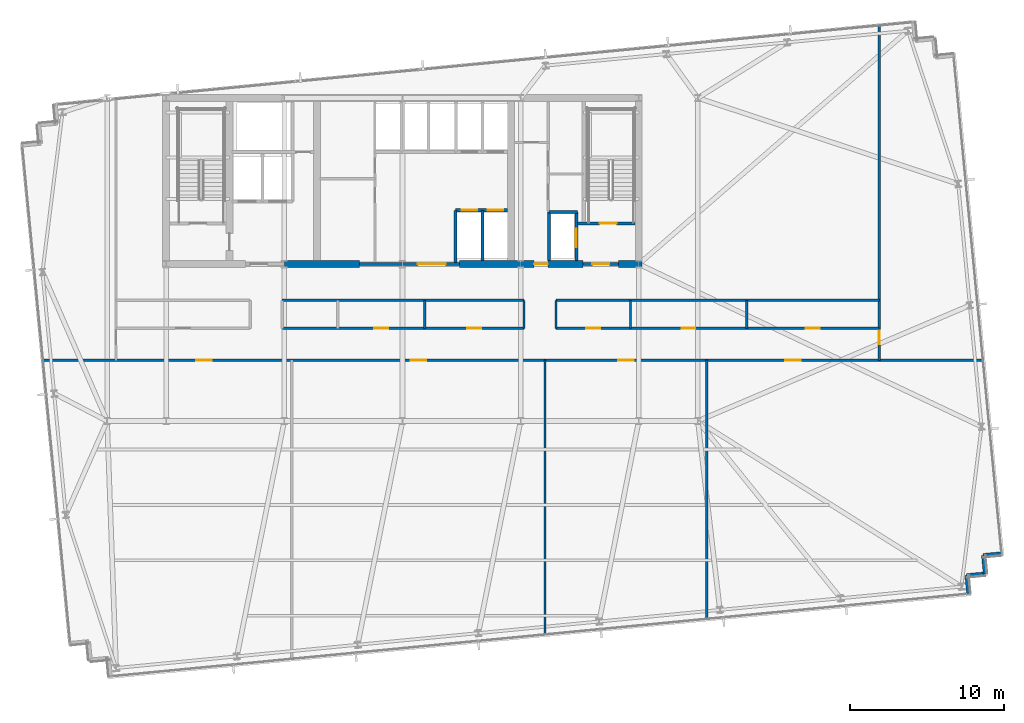
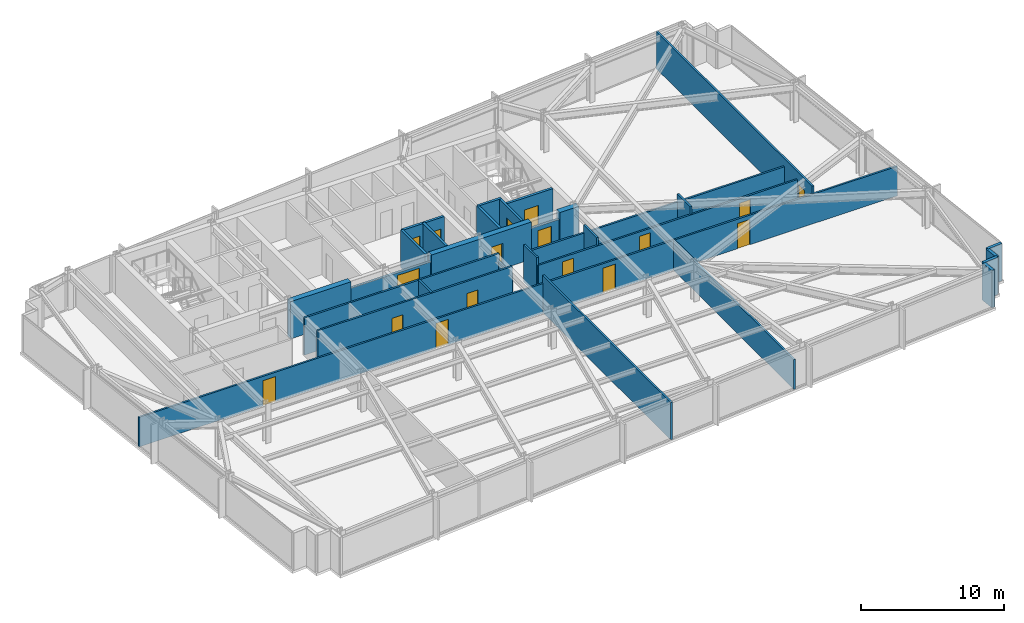
# One storey, part 25 of 32: 29 walls, 17 doors, 17 openings.
"""IFC4 building model written with IfcOpenShell, lengths in metres."""

from ifc_helpers import new_model, si_unit, direction, frame, frame_2d, origin, place, context, subcontext, project, spatial, rectangle, extrude, material, layer, layer_set, type_object, element, fill, save


model = new_model("IFC4")

# Units and contexts
model_context = context("Model", 3, precision=1e-05, world=origin(), true_north=direction((0.0, 1.0)))
body_context = subcontext(model_context, "Body", "Model", "MODEL_VIEW")
ifc_project = project(units=[si_unit("LENGTHUNIT", "METRE"), si_unit("AREAUNIT", "SQUARE_METRE"), si_unit("VOLUMEUNIT", "CUBIC_METRE"), si_unit("PLANEANGLEUNIT", "RADIAN"), si_unit("MASSUNIT", "GRAM", prefix="KILO")], contexts=[model_context])

# Site, building, storey
site_placement = place(None, origin())
site = spatial("IfcSite", under=ifc_project, at=site_placement, CompositionType="ELEMENT")
building_placement = place(site_placement, origin())
building = spatial("IfcBuilding", under=site, at=building_placement, Name="Yelkora Congress Tower", CompositionType="ELEMENT")
storey_placement = place(building_placement, frame((0.0, 0.0, 116.89990234375)))
storey = spatial("IfcBuildingStorey", under=building, at=storey_placement, Name="L31", CompositionType="ELEMENT", Elevation=116.89990234375)

# Wall
ifc_material_1 = material(Name="Concrete C60/75", Category="concrete")
ifc_layer_1 = layer(ifc_material_1, 0.449951171875)
ifc_layer_set_1 = layer_set([ifc_layer_1], Name="Concrete C60/75")
wall_type_1 = type_object("IfcWallType", Name="WALL-CORE-INT-450", PredefinedType="SHEAR", material=ifc_layer_set_1)
wall_1_placement = place(storey_placement, frame((30.719970703125, 35.39990234375, 0.0), z_axis=(0.0, 0.0, 1.0), x_axis=(1.0, 0.0, 0.0)))
element("IfcWall", 1, at=wall_1_placement, inside=storey, type_object=wall_type_1, Name="L31 Rear Core South-Center Shear Pier", PredefinedType="SHEAR", context=body_context, shape_type="SweptSolid", body=[
    extrude(rectangle(XDim=4.880126953125, YDim=0.449951171875, at=frame_2d((2.43994140625, 0.0))), origin(), (0.0, 0.0, 1.0), 3.18017578125),
])

# Wall, opening, door
wall_2_placement = place(storey_placement, frame((42.10009765625, 35.39990234375, 0.0), z_axis=(0.0, 0.0, 1.0), x_axis=(1.0, 0.0, 0.0)))
wall_2 = element("IfcWall", 2, at=wall_2_placement, inside=storey, type_object=wall_type_1, Name="L31 Rear Core South-East Shear Wall A", PredefinedType="SHEAR", context=body_context, shape_type="SweptSolid", body=[
    extrude(rectangle(XDim=8.0498046875, YDim=0.449951171875, at=frame_2d((4.02490234375, 0.0))), origin(), (0.0, 0.0, 1.0), 3.18017578125),
])
opening_1_placement = place(wall_2_placement, frame((4.85009765625, 0.0, 0.0)))
opening_1 = element("IfcOpeningElement", 3, at=opening_1_placement, cuts=wall_2, Name="Opening DR-090F6", PredefinedType="OPENING", context=body_context, shape_type="SweptSolid", body=[
    extrude(rectangle(XDim=0.89990234375, YDim=2.14990234375, at=frame_2d((0.449951171875, 1.074951171875))), frame((0.0, 0.23486328125, 0.0), z_axis=(0.0, -1.0, 0.0), x_axis=(1.0, 0.0, 0.0)), (0.0, 0.0, 1.0), 0.469970703125),
])
ifc_material_2 = material(Name="Painted steel riser fire door leaf", Category="steel")
door_type_1 = type_object("IfcDoorType", Name="DOOR-FD60-900", OperationType="NOTDEFINED", PredefinedType="DOOR", material=ifc_material_2)
door_1_placement = place(opening_1_placement, origin())
door_1 = element("IfcDoor", 4, at=door_1_placement, inside=storey, type_object=door_type_1, Name="L31 Core Washroom Lobby Door", OperationType="SINGLE_SWING_RIGHT", OverallHeight=2.14990234375, OverallWidth=0.89990234375, PredefinedType="DOOR", context=body_context, shape_type="SweptSolid", body=[
    extrude(rectangle(XDim=0.89990234375, YDim=2.14990234375, at=frame_2d((0.449951171875, 1.074951171875))), frame((0.0, 0.02490234375, 0.0), z_axis=(0.0, -1.0, 0.0), x_axis=(1.0, 0.0, 0.0)), (0.0, 0.0, 1.0), 0.050048828125),
])
fill(opening_1, door_1)

# Walls
wall_3_placement = place(storey_placement, frame((52.449951171875, 35.39990234375, 0.0), z_axis=(0.0, 0.0, 1.0), x_axis=(1.0, 0.0, 0.0)))
element("IfcWall", 5, at=wall_3_placement, inside=storey, type_object=wall_type_1, Name="L31 Rear Core South-East Shear Wall B", PredefinedType="SHEAR", context=body_context, shape_type="SweptSolid", body=[
    extrude(rectangle(XDim=1.53515625, YDim=0.449951171875, at=frame_2d((0.767578125, 0.0))), origin(), (0.0, 0.0, 1.0), 3.18017578125),
])
ifc_material_3 = material(Name="Concrete C40/50", Category="concrete")
ifc_layer_2 = layer(ifc_material_3, 0.239990234375)
ifc_layer_set_2 = layer_set([ifc_layer_2], Name="Concrete C40/50")
wall_type_2 = type_object("IfcWallType", Name="WALL-EXT-LIMESTONE-240", PredefinedType="SOLIDWALL", material=ifc_layer_set_2)
wall_4_placement = place(storey_placement, frame((77.34765625, 16.585693359375, 0.0), z_axis=(0.0, 0.0, 1.0), x_axis=(-0.995397091755, -0.095836473879, 0.0)))
element("IfcWall", 6, at=wall_4_placement, inside=storey, type_object=wall_type_2, Name="L31 Serrated Corner Limestone Pier 16", PredefinedType="SOLIDWALL", context=body_context, shape_type="SweptSolid", body=[
    extrude(rectangle(XDim=1.199951171875, YDim=0.239990234375, at=frame_2d((0.60009765625, 0.0))), origin(), (0.0, 0.0, 1.0), 3.18017578125),
])
for number, where, z_axis, x_axis, name in (
    (7, (76.1533203125, 16.470703125, 0.0), (0.0, 0.0, 1.0), (0.095817067274, -0.995398960025, 0.0), "L31 Serrated Corner Limestone Pier 17"),
    (8, (76.268310546875, 15.276123046875, 0.0), (0.0, 0.0, 1.0), (-0.995398960025, -0.095817067274, 0.0), "L31 Serrated Corner Limestone Pier 18"),
):
    element("IfcWall", number, at=place(storey_placement, frame(where, z_axis=z_axis, x_axis=x_axis)), inside=storey, type_object=wall_type_2, Name=name, PredefinedType="SOLIDWALL", context=body_context, shape_type="SweptSolid", body=[
        extrude(rectangle(XDim=1.2001953125, YDim=0.239990234375, at=frame_2d((0.60009765625, 0.0))), origin(), (0.0, 0.0, 1.0), 3.18017578125),
    ])
wall_5_placement = place(storey_placement, frame((75.07373046875, 15.1611328125, 0.0), z_axis=(0.0, 0.0, 1.0), x_axis=(0.095836473879, -0.995397091755, 0.0)))
element("IfcWall", 9, at=wall_5_placement, inside=storey, type_object=wall_type_2, Name="L31 Serrated Corner Limestone Pier 19", PredefinedType="SOLIDWALL", context=body_context, shape_type="SweptSolid", body=[
    extrude(rectangle(XDim=1.199951171875, YDim=0.239990234375, at=frame_2d((0.60009765625, 0.0))), origin(), (0.0, 0.0, 1.0), 3.18017578125),
])
ifc_material_4 = material(Name="Acoustic metal-stud gypsum partition", Category="gypsum")
ifc_layer_3 = layer(ifc_material_4, 0.14990234375)
ifc_layer_set_3 = layer_set([ifc_layer_3], Name="Acoustic metal-stud gypsum partition")
wall_type_3 = type_object("IfcWallType", Name="WALL-INT-150-NR", PredefinedType="PARTITIONING", material=ifc_layer_set_3)
wall_6_placement = place(storey_placement, frame((47.659912109375, 11.255615234375, 0.0), z_axis=(0.0, 0.0, 1.0), x_axis=(0.0, 1.0, 0.0)))
element("IfcWall", 10, at=wall_6_placement, inside=storey, type_object=wall_type_3, Name="L31 Partition Wall 28", PredefinedType="PARTITIONING", context=body_context, shape_type="SweptSolid", body=[
    extrude(rectangle(XDim=17.914306640625, YDim=0.14990234375, at=frame_2d((8.95703125, 0.0))), origin(), (0.0, 0.0, 1.0), 3.18017578125),
])
wall_7_placement = place(storey_placement, frame((58.176025390625, 12.268310546875, 0.0), z_axis=(0.0, 0.0, 1.0), x_axis=(0.0, 1.0, 0.0)))
element("IfcWall", 11, at=wall_7_placement, inside=storey, type_object=wall_type_3, Name="L31 Partition Wall 29", PredefinedType="PARTITIONING", context=body_context, shape_type="SweptSolid", body=[
    extrude(rectangle(XDim=16.901611328125, YDim=0.14990234375, at=frame_2d((8.45068359375, 0.0))), origin(), (0.0, 0.0, 1.0), 2.525146484375),
])

# Wall, openings, doors
wall_8_placement = place(storey_placement, frame((14.976318359375, 29.14990234375, 0.0), z_axis=(0.0, 0.0, 1.0), x_axis=(1.0, 0.0, 0.0)))
wall_8 = element("IfcWall", 12, at=wall_8_placement, inside=storey, type_object=wall_type_3, Name="L31 South Spine Wall", PredefinedType="PARTITIONING", context=body_context, shape_type="SweptSolid", body=[
    extrude(rectangle(XDim=61.221923828125, YDim=0.14990234375, at=frame_2d((30.61083984375, 0.0))), origin(), (0.0, 0.0, 1.0), 2.525146484375),
])
opening_2_placement = place(wall_8_placement, frame((10.01171875, 0.0, 0.0)))
opening_2 = element("IfcOpeningElement", 13, at=opening_2_placement, cuts=wall_8, Name="Opening DR-100N", PredefinedType="OPENING", context=body_context, shape_type="SweptSolid", body=[
    extrude(rectangle(XDim=1.0, YDim=2.14990234375, at=frame_2d((0.5, 1.074951171875))), frame((0.0, 0.0849609375, 0.0), z_axis=(0.0, -1.0, 0.0), x_axis=(1.0, 0.0, 0.0)), (0.0, 0.0, 1.0), 0.169921875),
])
opening_3_placement = place(wall_8_placement, frame((23.95361328125, 0.0, 0.0)))
opening_3 = element("IfcOpeningElement", 14, at=opening_3_placement, cuts=wall_8, Name="Opening DR-100N", PredefinedType="OPENING", context=body_context, shape_type="SweptSolid", body=[
    extrude(rectangle(XDim=1.0, YDim=2.14990234375, at=frame_2d((0.5, 1.074951171875))), frame((0.0, 0.0849609375, 0.0), z_axis=(0.0, -1.0, 0.0), x_axis=(1.0, 0.0, 0.0)), (0.0, 0.0, 1.0), 0.169921875),
])
opening_4_placement = place(wall_8_placement, frame((37.441650390625, 0.0, 0.0)))
opening_4 = element("IfcOpeningElement", 15, at=opening_4_placement, cuts=wall_8, Name="Opening DR-100N", PredefinedType="OPENING", context=body_context, shape_type="SweptSolid", body=[
    extrude(rectangle(XDim=1.0, YDim=2.14990234375, at=frame_2d((0.5, 1.074951171875))), frame((0.0, 0.0849609375, 0.0), z_axis=(0.0, -1.0, 0.0), x_axis=(1.0, 0.0, 0.0)), (0.0, 0.0, 1.0), 0.169921875),
])
opening_5_placement = place(wall_8_placement, frame((48.310546875, 0.0, 0.0)))
opening_5 = element("IfcOpeningElement", 16, at=opening_5_placement, cuts=wall_8, Name="Opening DR-100N", PredefinedType="OPENING", context=body_context, shape_type="SweptSolid", body=[
    extrude(rectangle(XDim=1.0, YDim=2.14990234375, at=frame_2d((0.5, 1.074951171875))), frame((0.0, 0.0849609375, 0.0), z_axis=(0.0, -1.0, 0.0), x_axis=(1.0, 0.0, 0.0)), (0.0, 0.0, 1.0), 0.169921875),
])
ifc_material_5 = material(Name="Solid-core Anatolian oak veneer door", Category="wood")
door_type_2 = type_object("IfcDoorType", Name="DOOR-INT-1000", OperationType="NOTDEFINED", PredefinedType="DOOR", material=ifc_material_5)
door_2_placement = place(opening_2_placement, origin())
door_2 = element("IfcDoor", 17, at=door_2_placement, inside=storey, type_object=door_type_2, Name="L31 Open-Plan Office Door", OperationType="SINGLE_SWING_LEFT", OverallHeight=2.14990234375, OverallWidth=1.0, PredefinedType="DOOR", context=body_context, shape_type="SweptSolid", body=[
    extrude(rectangle(XDim=1.0, YDim=2.14990234375, at=frame_2d((0.5, 1.074951171875))), frame((0.0, 0.02490234375, 0.0), z_axis=(0.0, -1.0, 0.0), x_axis=(1.0, 0.0, 0.0)), (0.0, 0.0, 1.0), 0.050048828125),
])
fill(opening_2, door_2)
door_3_placement = place(opening_3_placement, origin())
door_3 = element("IfcDoor", 18, at=door_3_placement, inside=storey, type_object=door_type_2, Name="L31 Collaboration Living Hub Door", OperationType="SINGLE_SWING_RIGHT", OverallHeight=2.14990234375, OverallWidth=1.0, PredefinedType="DOOR", context=body_context, shape_type="SweptSolid", body=[
    extrude(rectangle(XDim=1.0, YDim=2.14990234375, at=frame_2d((0.5, 1.074951171875))), frame((0.0, 0.02490234375, 0.0), z_axis=(0.0, -1.0, 0.0), x_axis=(1.0, 0.0, 0.0)), (0.0, 0.0, 1.0), 0.050048828125),
])
fill(opening_3, door_3)
door_4_placement = place(opening_4_placement, origin())
door_4 = element("IfcDoor", 19, at=door_4_placement, inside=storey, type_object=door_type_2, Name="L31 Catering Kitchenette Door", OperationType="SINGLE_SWING_LEFT", OverallHeight=2.14990234375, OverallWidth=1.0, PredefinedType="DOOR", context=body_context, shape_type="SweptSolid", body=[
    extrude(rectangle(XDim=1.0, YDim=2.14990234375, at=frame_2d((0.5, 1.074951171875))), frame((0.0, 0.02490234375, 0.0), z_axis=(0.0, -1.0, 0.0), x_axis=(1.0, 0.0, 0.0)), (0.0, 0.0, 1.0), 0.050048828125),
])
fill(opening_4, door_4)
door_5_placement = place(opening_5_placement, origin())
door_5 = element("IfcDoor", 20, at=door_5_placement, inside=storey, type_object=door_type_2, Name="L31 Catering Kitchenette Door", OperationType="SINGLE_SWING_RIGHT", OverallHeight=2.14990234375, OverallWidth=1.0, PredefinedType="DOOR", context=body_context, shape_type="SweptSolid", body=[
    extrude(rectangle(XDim=1.0, YDim=2.14990234375, at=frame_2d((0.5, 1.074951171875))), frame((0.0, 0.02490234375, 0.0), z_axis=(0.0, -1.0, 0.0), x_axis=(1.0, 0.0, 0.0)), (0.0, 0.0, 1.0), 0.050048828125),
])
fill(opening_5, door_5)

# Wall, opening, door
wall_9_placement = place(storey_placement, frame((69.39794921875, 29.14990234375, 0.0), z_axis=(0.0, 0.0, 1.0), x_axis=(0.0, 1.0, 0.0)))
wall_9 = element("IfcWall", 21, at=wall_9_placement, inside=storey, type_object=wall_type_3, Name="L31 Partition Wall 32", PredefinedType="PARTITIONING", context=body_context, shape_type="SweptSolid", body=[
    extrude(rectangle(XDim=21.81201171875, YDim=0.14990234375, at=frame_2d((10.906005859375, 0.0))), origin(), (0.0, 0.0, 1.0), 3.18017578125),
])
opening_6_placement = place(wall_9_placement, frame((1.030029296875, 0.0, 0.0)))
opening_6 = element("IfcOpeningElement", 22, at=opening_6_placement, cuts=wall_9, Name="Opening DR-090N", PredefinedType="OPENING", context=body_context, shape_type="SweptSolid", body=[
    extrude(rectangle(XDim=0.89990234375, YDim=2.14990234375, at=frame_2d((0.449951171875, 1.074951171875))), frame((0.0, 0.0849609375, 0.0), z_axis=(0.0, -1.0, 0.0), x_axis=(1.0, 0.0, 0.0)), (0.0, 0.0, 1.0), 0.169921875),
])
ifc_material_6 = material(Name="Moisture-resistant laminate door leaf", Category="wood")
door_type_3 = type_object("IfcDoorType", Name="DOOR-INT-900", OperationType="NOTDEFINED", PredefinedType="DOOR", material=ifc_material_6)
door_6_placement = place(opening_6_placement, origin())
door_6 = element("IfcDoor", 23, at=door_6_placement, inside=storey, type_object=door_type_3, Name="L31 E Wing Door", OperationType="SINGLE_SWING_RIGHT", OverallHeight=2.14990234375, OverallWidth=0.89990234375, PredefinedType="DOOR", context=body_context, shape_type="SweptSolid", body=[
    extrude(rectangle(XDim=0.89990234375, YDim=2.14990234375, at=frame_2d((0.449951171875, 1.074951171875))), frame((0.0, 0.02490234375, 0.0), z_axis=(0.0, -1.0, 0.0), x_axis=(1.0, 0.0, 0.0)), (0.0, 0.0, 1.0), 0.050048828125),
])
fill(opening_6, door_6)

# Walls
wall_10_placement = place(storey_placement, frame((46.300048828125, 31.22998046875, 0.0), z_axis=(0.0, 0.0, 1.0), x_axis=(0.0, 1.0, 0.0)))
element("IfcWall", 24, at=wall_10_placement, inside=storey, type_object=wall_type_3, Name="L31 Partition Wall 35", PredefinedType="PARTITIONING", context=body_context, shape_type="SweptSolid", body=[
    extrude(rectangle(XDim=1.820068359375, YDim=0.14990234375, at=frame_2d((0.91015625, 0.0))), origin(), (0.0, 0.0, 1.0), 2.525146484375),
])
wall_11_placement = place(storey_placement, frame((48.3798828125, 31.22998046875, 0.0), z_axis=(0.0, 0.0, 1.0), x_axis=(0.0, 1.0, 0.0)))
element("IfcWall", 25, at=wall_11_placement, inside=storey, type_object=wall_type_3, Name="L31 Partition Wall 36", PredefinedType="PARTITIONING", context=body_context, shape_type="SweptSolid", body=[
    extrude(rectangle(XDim=1.820068359375, YDim=0.14990234375, at=frame_2d((0.91015625, 0.0))), origin(), (0.0, 0.0, 1.0), 3.18017578125),
])
wall_12_placement = place(storey_placement, frame((30.580078125, 33.050048828125, 0.0), z_axis=(0.0, 0.0, 1.0), x_axis=(1.0, 0.0, 0.0)))
element("IfcWall", 26, at=wall_12_placement, inside=storey, type_object=wall_type_3, Name="L31 Partition Wall 38", PredefinedType="PARTITIONING", context=body_context, shape_type="SweptSolid", body=[
    extrude(rectangle(XDim=15.719970703125, YDim=0.14990234375, at=frame_2d((7.85986328125, 0.0))), origin(), (0.0, 0.0, 1.0), 3.18017578125),
])
wall_13_placement = place(storey_placement, frame((48.3798828125, 33.050048828125, 0.0), z_axis=(0.0, 0.0, 1.0), x_axis=(1.0, 0.0, 0.0)))
element("IfcWall", 27, at=wall_13_placement, inside=storey, type_object=wall_type_3, Name="L31 Partition Wall 39", PredefinedType="PARTITIONING", context=body_context, shape_type="SweptSolid", body=[
    extrude(rectangle(XDim=21.01806640625, YDim=0.14990234375, at=frame_2d((10.509033203125, 0.0))), origin(), (0.0, 0.0, 1.0), 2.525146484375),
])
wall_14_placement = place(storey_placement, frame((39.85302734375, 31.22998046875, 0.0), z_axis=(0.0, 0.0, 1.0), x_axis=(0.0, 1.0, 0.0)))
element("IfcWall", 28, at=wall_14_placement, inside=storey, type_object=wall_type_3, Name="L31 Partition Wall 42", PredefinedType="PARTITIONING", context=body_context, shape_type="SweptSolid", body=[
    extrude(rectangle(XDim=1.820068359375, YDim=0.14990234375, at=frame_2d((0.91015625, 0.0))), origin(), (0.0, 0.0, 1.0), 3.18017578125),
])

# Wall, openings, doors
wall_15_placement = place(storey_placement, frame((30.590087890625, 31.22998046875, 0.0), z_axis=(0.0, 0.0, 1.0), x_axis=(1.0, 0.0, 0.0)))
wall_15 = element("IfcWall", 29, at=wall_15_placement, inside=storey, type_object=wall_type_3, Name="L31 Partition Wall 43", PredefinedType="PARTITIONING", context=body_context, shape_type="SweptSolid", body=[
    extrude(rectangle(XDim=15.699951171875, YDim=0.14990234375, at=frame_2d((7.85009765625, 0.0))), origin(), (0.0, 0.0, 1.0), 3.18017578125),
])
opening_7_placement = place(wall_15_placement, frame((5.987060546875, 0.0, 0.0)))
opening_7 = element("IfcOpeningElement", 30, at=opening_7_placement, cuts=wall_15, Name="Opening DR-090N", PredefinedType="OPENING", context=body_context, shape_type="SweptSolid", body=[
    extrude(rectangle(XDim=0.89990234375, YDim=2.14990234375, at=frame_2d((0.449951171875, 1.074951171875))), frame((0.0, 0.0849609375, 0.0), z_axis=(0.0, -1.0, 0.0), x_axis=(1.0, 0.0, 0.0)), (0.0, 0.0, 1.0), 0.169921875),
])
opening_8_placement = place(wall_15_placement, frame((12.031494140625, 0.0, 0.0)))
opening_8 = element("IfcOpeningElement", 31, at=opening_8_placement, cuts=wall_15, Name="Opening DR-090N", PredefinedType="OPENING", context=body_context, shape_type="SweptSolid", body=[
    extrude(rectangle(XDim=0.89990234375, YDim=2.14990234375, at=frame_2d((0.449951171875, 1.074951171875))), frame((0.0, 0.0849609375, 0.0), z_axis=(0.0, -1.0, 0.0), x_axis=(1.0, 0.0, 0.0)), (0.0, 0.0, 1.0), 0.169921875),
])
door_7_placement = place(opening_7_placement, origin())
door_7 = element("IfcDoor", 32, at=door_7_placement, inside=storey, type_object=door_type_3, Name="L31 Staff Operations Room Door", OperationType="SINGLE_SWING_RIGHT", OverallHeight=2.14990234375, OverallWidth=0.89990234375, PredefinedType="DOOR", context=body_context, shape_type="SweptSolid", body=[
    extrude(rectangle(XDim=0.89990234375, YDim=2.14990234375, at=frame_2d((0.449951171875, 1.074951171875))), frame((0.0, 0.02490234375, 0.0), z_axis=(0.0, -1.0, 0.0), x_axis=(1.0, 0.0, 0.0)), (0.0, 0.0, 1.0), 0.050048828125),
])
fill(opening_7, door_7)
door_8_placement = place(opening_8_placement, origin())
door_8 = element("IfcDoor", 33, at=door_8_placement, inside=storey, type_object=door_type_3, Name="L31 Security Control Room Door", OperationType="SINGLE_SWING_LEFT", OverallHeight=2.14990234375, OverallWidth=0.89990234375, PredefinedType="DOOR", context=body_context, shape_type="SweptSolid", body=[
    extrude(rectangle(XDim=0.89990234375, YDim=2.14990234375, at=frame_2d((0.449951171875, 1.074951171875))), frame((0.0, 0.02490234375, 0.0), z_axis=(0.0, -1.0, 0.0), x_axis=(1.0, 0.0, 0.0)), (0.0, 0.0, 1.0), 0.050048828125),
])
fill(opening_8, door_8)

# Walls
for number, where, z_axis, x_axis, name in (
    (34, (53.217041015625, 31.22998046875, 0.0), (0.0, 0.0, 1.0), (0.0, 1.0, 0.0), "L31 Partition Wall 44"),
    (35, (60.77294921875, 31.22998046875, 0.0), (0.0, 0.0, 1.0), (0.0, 1.0, 0.0), "L31 Partition Wall 45"),
):
    element("IfcWall", number, at=place(storey_placement, frame(where, z_axis=z_axis, x_axis=x_axis)), inside=storey, type_object=wall_type_3, Name=name, PredefinedType="PARTITIONING", context=body_context, shape_type="SweptSolid", body=[
        extrude(rectangle(XDim=1.820068359375, YDim=0.14990234375, at=frame_2d((0.91015625, 0.0))), origin(), (0.0, 0.0, 1.0), 3.18017578125),
    ])

# Wall, openings, doors
wall_16_placement = place(storey_placement, frame((48.389892578125, 31.22998046875, 0.0), z_axis=(0.0, 0.0, 1.0), x_axis=(1.0, 0.0, 0.0)))
wall_16 = element("IfcWall", 36, at=wall_16_placement, inside=storey, type_object=wall_type_3, Name="L31 Partition Wall 46", PredefinedType="PARTITIONING", context=body_context, shape_type="SweptSolid", body=[
    extrude(rectangle(XDim=20.988037109375, YDim=0.14990234375, at=frame_2d((10.494140625, 0.0))), origin(), (0.0, 0.0, 1.0), 2.525146484375),
])
opening_9_placement = place(wall_16_placement, frame((1.96337890625, 0.0, 0.0)))
opening_9 = element("IfcOpeningElement", 37, at=opening_9_placement, cuts=wall_16, Name="Opening DR-090N", PredefinedType="OPENING", context=body_context, shape_type="SweptSolid", body=[
    extrude(rectangle(XDim=0.89990234375, YDim=2.14990234375, at=frame_2d((0.449951171875, 1.074951171875))), frame((0.0, 0.0849609375, 0.0), z_axis=(0.0, -1.0, 0.0), x_axis=(1.0, 0.0, 0.0)), (0.0, 0.0, 1.0), 0.169921875),
])
opening_10_placement = place(wall_16_placement, frame((8.155029296875, 0.0, 0.0)))
opening_10 = element("IfcOpeningElement", 38, at=opening_10_placement, cuts=wall_16, Name="Opening DR-090N", PredefinedType="OPENING", context=body_context, shape_type="SweptSolid", body=[
    extrude(rectangle(XDim=0.89990234375, YDim=2.14990234375, at=frame_2d((0.449951171875, 1.074951171875))), frame((0.0, 0.0849609375, 0.0), z_axis=(0.0, -1.0, 0.0), x_axis=(1.0, 0.0, 0.0)), (0.0, 0.0, 1.0), 0.169921875),
])
opening_11_placement = place(wall_16_placement, frame((16.235595703125, 0.0, 0.0)))
opening_11 = element("IfcOpeningElement", 39, at=opening_11_placement, cuts=wall_16, Name="Opening DR-090N", PredefinedType="OPENING", context=body_context, shape_type="SweptSolid", body=[
    extrude(rectangle(XDim=0.89990234375, YDim=2.14990234375, at=frame_2d((0.449951171875, 1.074951171875))), frame((0.0, 0.0849609375, 0.0), z_axis=(0.0, -1.0, 0.0), x_axis=(1.0, 0.0, 0.0)), (0.0, 0.0, 1.0), 0.169921875),
])
door_9_placement = place(opening_9_placement, origin())
door_9 = element("IfcDoor", 40, at=door_9_placement, inside=storey, type_object=door_type_3, Name="L31 Staff Operations Room Door", OperationType="SINGLE_SWING_RIGHT", OverallHeight=2.14990234375, OverallWidth=0.89990234375, PredefinedType="DOOR", context=body_context, shape_type="SweptSolid", body=[
    extrude(rectangle(XDim=0.89990234375, YDim=2.14990234375, at=frame_2d((0.449951171875, 1.074951171875))), frame((0.0, 0.02490234375, 0.0), z_axis=(0.0, -1.0, 0.0), x_axis=(1.0, 0.0, 0.0)), (0.0, 0.0, 1.0), 0.050048828125),
])
fill(opening_9, door_9)
door_10_placement = place(opening_10_placement, origin())
door_10 = element("IfcDoor", 41, at=door_10_placement, inside=storey, type_object=door_type_3, Name="L31 Security Control Room Door", OperationType="SINGLE_SWING_LEFT", OverallHeight=2.14990234375, OverallWidth=0.89990234375, PredefinedType="DOOR", context=body_context, shape_type="SweptSolid", body=[
    extrude(rectangle(XDim=0.89990234375, YDim=2.14990234375, at=frame_2d((0.449951171875, 1.074951171875))), frame((0.0, 0.02490234375, 0.0), z_axis=(0.0, -1.0, 0.0), x_axis=(1.0, 0.0, 0.0)), (0.0, 0.0, 1.0), 0.050048828125),
])
fill(opening_10, door_10)
door_11_placement = place(opening_11_placement, origin())
door_11 = element("IfcDoor", 42, at=door_11_placement, inside=storey, type_object=door_type_3, Name="L31 Hospitality Pantry Door", OperationType="SINGLE_SWING_RIGHT", OverallHeight=2.14990234375, OverallWidth=0.89990234375, PredefinedType="DOOR", context=body_context, shape_type="SweptSolid", body=[
    extrude(rectangle(XDim=0.89990234375, YDim=2.14990234375, at=frame_2d((0.449951171875, 1.074951171875))), frame((0.0, 0.02490234375, 0.0), z_axis=(0.0, -1.0, 0.0), x_axis=(1.0, 0.0, 0.0)), (0.0, 0.0, 1.0), 0.050048828125),
])
fill(opening_11, door_11)

# Wall, opening, door
ifc_material_7 = material(Name="Autoclaved aerated concrete blockwork", Category="masonry")
ifc_layer_4 = layer(ifc_material_7, 0.199951171875)
ifc_layer_set_4 = layer_set([ifc_layer_4], Name="Autoclaved aerated concrete blockwork")
wall_type_4 = type_object("IfcWallType", Name="WALL-INT-200-R120", PredefinedType="PARTITIONING", material=ifc_layer_set_4)
wall_17_placement = place(storey_placement, frame((35.60009765625, 35.39990234375, 0.0), z_axis=(0.0, 0.0, 1.0), x_axis=(1.0, 0.0, 0.0)))
wall_17 = element("IfcWall", 43, at=wall_17_placement, inside=storey, type_object=wall_type_4, Name="L31 Main Lift Lobby South Portal Wall", PredefinedType="PARTITIONING", context=body_context, shape_type="SweptSolid", body=[
    extrude(rectangle(XDim=6.5, YDim=0.199951171875, at=frame_2d((3.25, 0.0))), origin(), (0.0, 0.0, 1.0), 2.525146484375),
])
opening_12_placement = place(wall_17_placement, frame((3.800048828125, 0.0, 0.0)))
opening_12 = element("IfcOpeningElement", 44, at=opening_12_placement, cuts=wall_17, Name="Opening DR-180D", PredefinedType="OPENING", context=body_context, shape_type="SweptSolid", body=[
    extrude(rectangle(XDim=1.800048828125, YDim=2.300048828125, at=frame_2d((0.89990234375, 1.14990234375))), frame((0.0, 0.10986328125, 0.0), z_axis=(0.0, -1.0, 0.0), x_axis=(1.0, 0.0, 0.0)), (0.0, 0.0, 1.0), 0.219970703125),
])
ifc_material_8 = material(Name="Acoustic double congress hall doors", Category="wood")
door_type_4 = type_object("IfcDoorType", Name="DOOR-DBL-1800", OperationType="DOUBLE_DOOR_SINGLE_SWING", PredefinedType="DOOR", material=ifc_material_8)
door_12_placement = place(opening_12_placement, origin())
door_12 = element("IfcDoor", 45, at=door_12_placement, inside=storey, type_object=door_type_4, Name="L31 Main Lift Lobby Portal Door", OperationType="DOUBLE_DOOR_SINGLE_SWING", OverallHeight=2.300048828125, OverallWidth=1.800048828125, PredefinedType="DOOR", context=body_context, shape_type="SweptSolid", body=[
    extrude(rectangle(XDim=1.800048828125, YDim=2.300048828125, at=frame_2d((0.89990234375, 1.14990234375))), frame((0.0, 0.02490234375, 0.0), z_axis=(0.0, -1.0, 0.0), x_axis=(1.0, 0.0, 0.0)), (0.0, 0.0, 1.0), 0.050048828125),
])
fill(opening_12, door_12)

# Wall, openings, doors
wall_18_placement = place(storey_placement, frame((41.85009765625, 38.89990234375, 0.0), z_axis=(0.0, 0.0, 1.0), x_axis=(1.0, 0.0, 0.0)))
wall_18 = element("IfcWall", 46, at=wall_18_placement, inside=storey, type_object=wall_type_4, Name="L31 Partition Wall 13", PredefinedType="PARTITIONING", context=body_context, shape_type="SweptSolid", body=[
    extrude(rectangle(XDim=3.369873046875, YDim=0.199951171875, at=frame_2d((1.68505859375, 0.0))), origin(), (0.0, 0.0, 1.0), 3.18017578125),
])
opening_13_placement = place(wall_18_placement, frame((0.39990234375, 0.0, 0.0)))
opening_13 = element("IfcOpeningElement", 47, at=opening_13_placement, cuts=wall_18, Name="Opening LD-PS10", PredefinedType="OPENING", context=body_context, shape_type="SweptSolid", body=[
    extrude(rectangle(XDim=1.0, YDim=2.199951171875, at=frame_2d((0.5, 1.10009765625))), frame((0.0, 0.10986328125, 0.0), z_axis=(0.0, -1.0, 0.0), x_axis=(1.0, 0.0, 0.0)), (0.0, 0.0, 1.0), 0.219970703125),
])
opening_14_placement = place(wall_18_placement, frame((2.10009765625, 0.0, 0.0)))
opening_14 = element("IfcOpeningElement", 48, at=opening_14_placement, cuts=wall_18, Name="Opening LD-PS10", PredefinedType="OPENING", context=body_context, shape_type="SweptSolid", body=[
    extrude(rectangle(XDim=1.0, YDim=2.199951171875, at=frame_2d((0.5, 1.10009765625))), frame((0.0, 0.10986328125, 0.0), z_axis=(0.0, -1.0, 0.0), x_axis=(1.0, 0.0, 0.0)), (0.0, 0.0, 1.0), 0.219970703125),
])
ifc_material_9 = material(Name="Champagne stainless steel landing door", Category="steel")
door_type_5 = type_object("IfcDoorType", Name="DOOR-LIFT-PAS-1000", OperationType="DOUBLE_DOOR_SLIDING", PredefinedType="DOOR", material=ifc_material_9)
door_13_placement = place(opening_13_placement, origin())
door_13 = element("IfcDoor", 49, at=door_13_placement, inside=storey, type_object=door_type_5, Name="Lift Landing Door LF-P5 L31", OperationType="DOUBLE_DOOR_SLIDING", OverallHeight=2.199951171875, OverallWidth=1.0, PredefinedType="DOOR", context=body_context, shape_type="SweptSolid", body=[
    extrude(rectangle(XDim=1.0, YDim=2.199951171875, at=frame_2d((0.5, 1.10009765625))), frame((0.0, 0.02490234375, 0.0), z_axis=(0.0, -1.0, 0.0), x_axis=(1.0, 0.0, 0.0)), (0.0, 0.0, 1.0), 0.050048828125),
])
fill(opening_13, door_13)
door_14_placement = place(opening_14_placement, origin())
door_14 = element("IfcDoor", 50, at=door_14_placement, inside=storey, type_object=door_type_5, Name="Lift Landing Door LF-P6 L31", OperationType="DOUBLE_DOOR_SLIDING", OverallHeight=2.199951171875, OverallWidth=1.0, PredefinedType="DOOR", context=body_context, shape_type="SweptSolid", body=[
    extrude(rectangle(XDim=1.0, YDim=2.199951171875, at=frame_2d((0.5, 1.10009765625))), frame((0.0, 0.02490234375, 0.0), z_axis=(0.0, -1.0, 0.0), x_axis=(1.0, 0.0, 0.0)), (0.0, 0.0, 1.0), 0.050048828125),
])
fill(opening_14, door_14)

# Walls
wall_19_placement = place(storey_placement, frame((43.60009765625, 35.64990234375, 0.0), z_axis=(0.0, 0.0, 1.0), x_axis=(0.0, 1.0, 0.0)))
element("IfcWall", 51, at=wall_19_placement, inside=storey, type_object=wall_type_4, Name="L31 Partition Wall 15", PredefinedType="PARTITIONING", context=body_context, shape_type="SweptSolid", body=[
    extrude(rectangle(XDim=3.25, YDim=0.199951171875, at=frame_2d((1.625, 0.0))), origin(), (0.0, 0.0, 1.0), 3.18017578125),
])
wall_20_placement = place(storey_placement, frame((41.85009765625, 35.5, 0.0), z_axis=(0.0, 0.0, 1.0), x_axis=(0.0, 1.0, 0.0)))
element("IfcWall", 52, at=wall_20_placement, inside=storey, type_object=wall_type_4, Name="L31 Partition Wall 17", PredefinedType="PARTITIONING", context=body_context, shape_type="SweptSolid", body=[
    extrude(rectangle(XDim=3.39990234375, YDim=0.199951171875, at=frame_2d((1.699951171875, 0.0))), origin(), (0.0, 0.0, 1.0), 3.18017578125),
])

# Wall, opening, door
wall_21_placement = place(storey_placement, frame((49.780029296875, 38.050048828125, 0.0), z_axis=(0.0, 0.0, 1.0), x_axis=(1.0, 0.0, 0.0)))
wall_21 = element("IfcWall", 53, at=wall_21_placement, inside=storey, type_object=wall_type_4, Name="L31 Stair ST-02 Enclosure Wall", PredefinedType="PARTITIONING", context=body_context, shape_type="SweptSolid", body=[
    extrude(rectangle(XDim=3.719970703125, YDim=0.199951171875, at=frame_2d((1.85986328125, 0.0))), origin(), (0.0, 0.0, 1.0), 3.18017578125),
])
opening_15_placement = place(wall_21_placement, frame((1.436279296875, 0.0, 0.0)))
opening_15 = element("IfcOpeningElement", 54, at=opening_15_placement, cuts=wall_21, Name="Opening DR-110F9", PredefinedType="OPENING", context=body_context, shape_type="SweptSolid", body=[
    extrude(rectangle(XDim=1.10009765625, YDim=2.14990234375, at=frame_2d((0.550048828125, 1.074951171875))), frame((0.0, 0.10986328125, 0.0), z_axis=(0.0, -1.0, 0.0), x_axis=(1.0, 0.0, 0.0)), (0.0, 0.0, 1.0), 0.219970703125),
])
ifc_material_10 = material(Name="Galvanised steel fire door leaf", Category="steel")
door_type_6 = type_object("IfcDoorType", Name="DOOR-FD90-1100", OperationType="NOTDEFINED", PredefinedType="DOOR", material=ifc_material_10)
door_15_placement = place(opening_15_placement, origin())
door_15 = element("IfcDoor", 55, at=door_15_placement, inside=storey, type_object=door_type_6, Name="L31 Stair ST-02 Entry Door", OperationType="SINGLE_SWING_LEFT", OverallHeight=2.14990234375, OverallWidth=1.10009765625, PredefinedType="DOOR", context=body_context, shape_type="SweptSolid", body=[
    extrude(rectangle(XDim=1.10009765625, YDim=2.14990234375, at=frame_2d((0.550048828125, 1.074951171875))), frame((0.0, 0.02490234375, 0.0), z_axis=(0.0, -1.0, 0.0), x_axis=(1.0, 0.0, 0.0)), (0.0, 0.0, 1.0), 0.050048828125),
])
fill(opening_15, door_15)

wall_22_placement = place(storey_placement, frame((50.14990234375, 35.39990234375, 0.0), z_axis=(0.0, 0.0, 1.0), x_axis=(1.0, 0.0, 0.0)))
wall_22 = element("IfcWall", 56, at=wall_22_placement, inside=storey, type_object=wall_type_4, Name="L31 Partition Wall 20", PredefinedType="PARTITIONING", context=body_context, shape_type="SweptSolid", body=[
    extrude(rectangle(XDim=2.300048828125, YDim=0.199951171875, at=frame_2d((1.14990234375, 0.0))), origin(), (0.0, 0.0, 1.0), 2.525146484375),
])
opening_16_placement = place(wall_22_placement, frame((0.60009765625, 0.0, 0.0)))
opening_16 = element("IfcOpeningElement", 57, at=opening_16_placement, cuts=wall_22, Name="Opening DR-110F9", PredefinedType="OPENING", context=body_context, shape_type="SweptSolid", body=[
    extrude(rectangle(XDim=1.10009765625, YDim=2.14990234375, at=frame_2d((0.550048828125, 1.074951171875))), frame((0.0, 0.10986328125, 0.0), z_axis=(0.0, -1.0, 0.0), x_axis=(1.0, 0.0, 0.0)), (0.0, 0.0, 1.0), 0.219970703125),
])
door_16_placement = place(opening_16_placement, origin())
door_16 = element("IfcDoor", 58, at=door_16_placement, inside=storey, type_object=door_type_6, Name="L31 East Stair Lobby Door", OperationType="SINGLE_SWING_RIGHT", OverallHeight=2.14990234375, OverallWidth=1.10009765625, PredefinedType="DOOR", context=body_context, shape_type="SweptSolid", body=[
    extrude(rectangle(XDim=1.10009765625, YDim=2.14990234375, at=frame_2d((0.550048828125, 1.074951171875))), frame((0.0, 0.02490234375, 0.0), z_axis=(0.0, -1.0, 0.0), x_axis=(1.0, 0.0, 0.0)), (0.0, 0.0, 1.0), 0.050048828125),
])
fill(opening_16, door_16)

wall_23_placement = place(storey_placement, frame((49.699951171875, 35.64990234375, 0.0), z_axis=(0.0, 0.0, 1.0), x_axis=(0.0, 1.0, 0.0)))
wall_23 = element("IfcWall", 59, at=wall_23_placement, inside=storey, type_object=wall_type_4, Name="L31 Partition Wall 21", PredefinedType="PARTITIONING", context=body_context, shape_type="SweptSolid", body=[
    extrude(rectangle(XDim=3.150146484375, YDim=0.199951171875, at=frame_2d((1.5751953125, 0.0))), origin(), (0.0, 0.0, 1.0), 3.18017578125),
])
opening_17_placement = place(wall_23_placement, frame((0.85009765625, 0.0, 0.0)))
opening_17 = element("IfcOpeningElement", 60, at=opening_17_placement, cuts=wall_23, Name="Opening LD-SV12", PredefinedType="OPENING", context=body_context, shape_type="SweptSolid", body=[
    extrude(rectangle(XDim=1.199951171875, YDim=2.199951171875, at=frame_2d((0.60009765625, 1.10009765625))), frame((0.0, 0.10986328125, 0.0), z_axis=(0.0, -1.0, 0.0), x_axis=(1.0, 0.0, 0.0)), (0.0, 0.0, 1.0), 0.219970703125),
])
ifc_material_11 = material(Name="Heavy-duty stainless steel landing door", Category="steel")
door_type_7 = type_object("IfcDoorType", Name="DOOR-LIFT-SRV-1200", OperationType="DOUBLE_DOOR_SLIDING", PredefinedType="DOOR", material=ifc_material_11)
door_17_placement = place(opening_17_placement, origin())
door_17 = element("IfcDoor", 61, at=door_17_placement, inside=storey, type_object=door_type_7, Name="Service Lift Landing Door LF-SV1 L31", OperationType="DOUBLE_DOOR_SLIDING", OverallHeight=2.199951171875, OverallWidth=1.199951171875, PredefinedType="DOOR", context=body_context, shape_type="SweptSolid", body=[
    extrude(rectangle(XDim=1.199951171875, YDim=2.199951171875, at=frame_2d((0.60009765625, 1.10009765625))), frame((0.0, 0.02490234375, 0.0), z_axis=(0.0, -1.0, 0.0), x_axis=(1.0, 0.0, 0.0)), (0.0, 0.0, 1.0), 0.050048828125),
])
fill(opening_17, door_17)

# Walls
wall_24_placement = place(storey_placement, frame((47.919921875, 35.64990234375, 0.0), z_axis=(0.0, 0.0, 1.0), x_axis=(0.0, 1.0, 0.0)))
element("IfcWall", 62, at=wall_24_placement, inside=storey, type_object=wall_type_4, Name="L31 Partition Wall 22", PredefinedType="PARTITIONING", context=body_context, shape_type="SweptSolid", body=[
    extrude(rectangle(XDim=3.150146484375, YDim=0.199951171875, at=frame_2d((1.5751953125, 0.0))), origin(), (0.0, 0.0, 1.0), 3.18017578125),
])
wall_25_placement = place(storey_placement, frame((47.919921875, 38.800048828125, 0.0), z_axis=(0.0, 0.0, 1.0), x_axis=(1.0, 0.0, 0.0)))
element("IfcWall", 63, at=wall_25_placement, inside=storey, type_object=wall_type_4, Name="L31 Partition Wall 23", PredefinedType="PARTITIONING", context=body_context, shape_type="SweptSolid", body=[
    extrude(rectangle(XDim=1.860107421875, YDim=0.199951171875, at=frame_2d((0.93017578125, 0.0))), origin(), (0.0, 0.0, 1.0), 3.18017578125),
])

save(model, "model.ifc")
